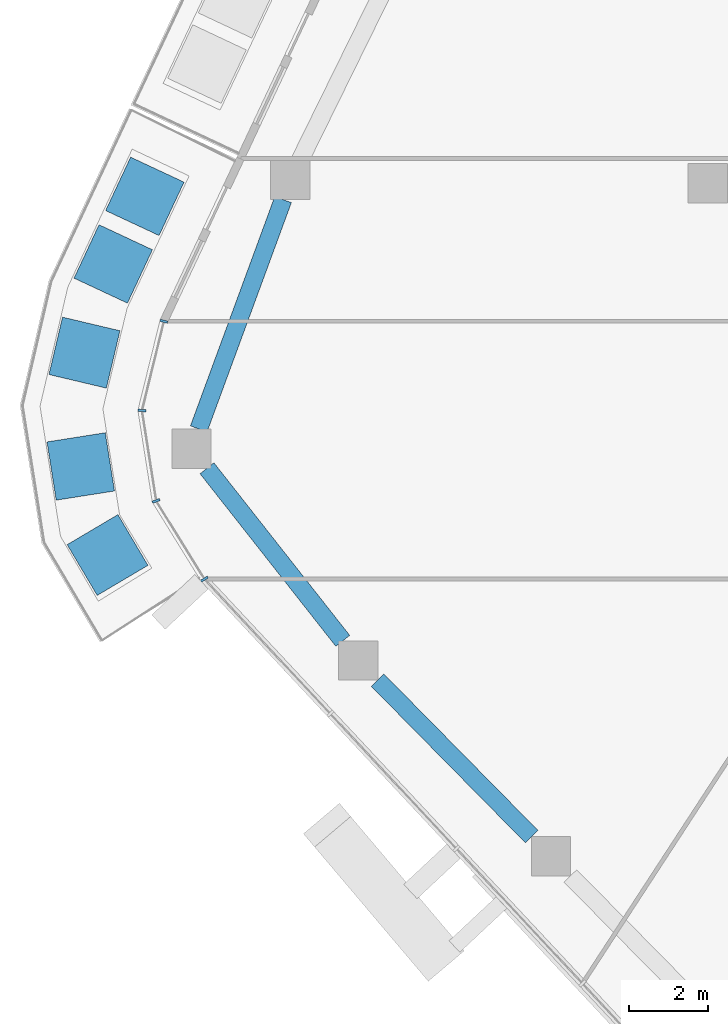
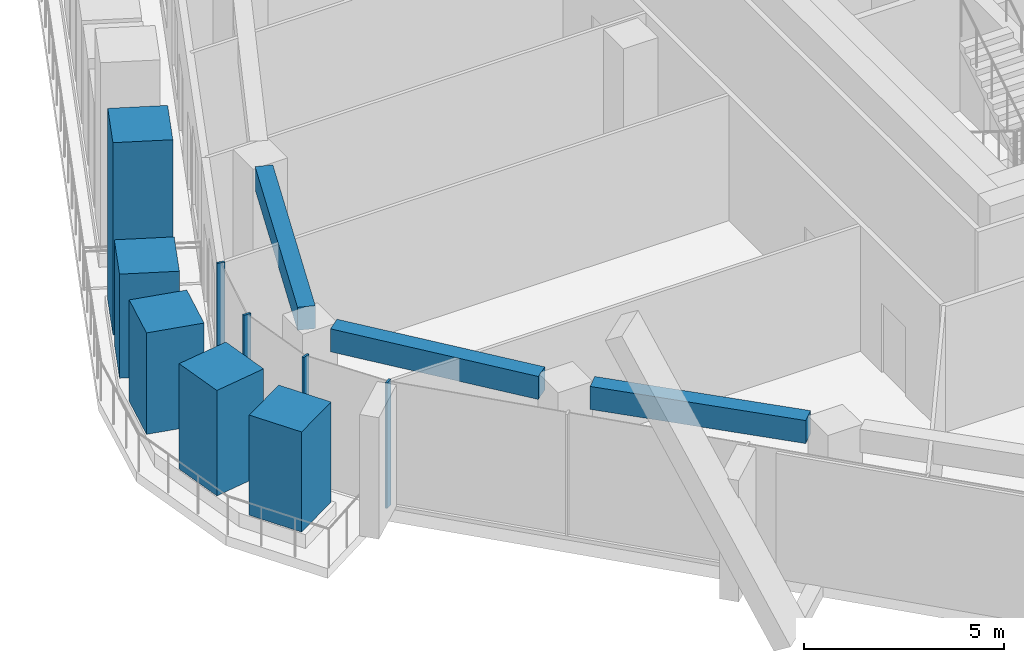
# One storey, part 3 of 23: 9 members, 3 beams, 1 element without a shape of its own.
"""IFC4 building model written with IfcOpenShell, lengths in metres."""

from ifc_helpers import new_model, si_unit, direction, frame, origin, origin_2d, place, context, subcontext, project, spatial, rectangle, extrude, material, layer, layer_set, material_profile, profile_set, type_object, element, aggregate, save


model = new_model("IFC4")

# Units and contexts
model_context = context("Model", 3, precision=1e-05, world=origin(), true_north=direction((0.0, 1.0)))
body_context = subcontext(model_context, "Body", "Model", "MODEL_VIEW")
ifc_project = project(units=[si_unit("LENGTHUNIT", "METRE"), si_unit("AREAUNIT", "SQUARE_METRE"), si_unit("VOLUMEUNIT", "CUBIC_METRE"), si_unit("PLANEANGLEUNIT", "RADIAN"), si_unit("MASSUNIT", "GRAM", prefix="KILO")], contexts=[model_context])

# Site, building, storey
site_placement = place(None, origin())
site = spatial("IfcSite", under=ifc_project, at=site_placement, CompositionType="ELEMENT")
building_placement = place(site_placement, origin())
building = spatial("IfcBuilding", under=site, at=building_placement, Name="Dongbaek Canopy Tower", CompositionType="ELEMENT")
storey_placement = place(building_placement, frame((0.0, 0.0, 340.39990234375)))
storey = spatial("IfcBuildingStorey", under=building, at=storey_placement, Name="L73", CompositionType="ELEMENT", Elevation=340.39990234375)

# Curtain wall, members
ifc_material_1 = material(Name="Aluminium 6063-T6 pale anodised", Category="aluminium")
ifc_layer = layer(ifc_material_1, 0.199951171875)
ifc_layer_set = layer_set([ifc_layer], Name="CW-1 unitised tower curtain wall")
curtain_wall_type = type_object("IfcCurtainWallType", Name="CW-1 unitised tower curtain wall", PredefinedType="NOTDEFINED", material=ifc_layer_set)
curtain_wall_placement = place(storey_placement, origin())
curtain_wall = element("IfcCurtainWall", 1, at=curtain_wall_placement, inside=storey, type_object=curtain_wall_type, Name="CW-1 curtain wall K3.1", PredefinedType="NOTDEFINED")
ifc_material_2 = material(Name="Aluminium 6063-T6 pale anodised", Category="aluminium")
ifc_material_profile_1 = material_profile(ifc_material_2, rectangle(XDim=0.199951171875, YDim=0.06005859375, at=origin_2d()), Name="CW-1 mullion 60 x 200")
ifc_profile_set_1 = profile_set([ifc_material_profile_1], Name="Aluminium 6063-T6 pale anodised")
member_type_1 = type_object("IfcMemberType", Name="CW-1 mullion 60 x 200", PredefinedType="MULLION", material=ifc_profile_set_1)
member_1_placement = place(storey_placement, frame((-31.8330078125, -3.507568359375, 0.0), z_axis=(0.0, 0.0, 1.0), x_axis=(-0.971110092335, 0.238631910198, 0.0)))
member_1 = element("IfcMember", 2, at=member_1_placement, type_object=member_type_1, Name="CW-1 mullion K3.1.1", PredefinedType="MULLION", context=body_context, shape_type="SweptSolid", body=[
    extrude(rectangle(XDim=0.199951171875, YDim=0.06005859375, at=origin_2d()), origin(), (0.0, 0.0, 1.0), 3.820068359375),
])
member_2_placement = place(storey_placement, frame((-32.390625, -5.77685546875, 0.0), z_axis=(0.0, 0.0, 1.0), x_axis=(-0.999101300895, 0.042386207062, 0.0)))
member_2 = element("IfcMember", 3, at=member_2_placement, type_object=member_type_1, Name="CW-1 mullion K3.1.2", PredefinedType="MULLION", context=body_context, shape_type="SweptSolid", body=[
    extrude(rectangle(XDim=0.199951171875, YDim=0.06005859375, at=origin_2d()), origin(), (0.0, 0.0, 1.0), 3.820068359375),
])
member_3_placement = place(storey_placement, frame((-32.02880859375, -8.075439453125, 0.0), z_axis=(0.0, 0.0, 1.0), x_axis=(-0.937744851742, -0.347324909891, 0.0)))
member_3 = element("IfcMember", 4, at=member_3_placement, type_object=member_type_1, Name="CW-1 mullion K3.1.3", PredefinedType="MULLION", context=body_context, shape_type="SweptSolid", body=[
    extrude(rectangle(XDim=0.199951171875, YDim=0.06005859375, at=origin_2d()), origin(), (0.0, 0.0, 1.0), 3.820068359375),
])
member_4_placement = place(storey_placement, frame((-30.800537109375, -10.063720703125, 0.0), z_axis=(0.0, 0.0, 1.0), x_axis=(-0.850808249929, -0.525476280961, 0.0)))
member_4 = element("IfcMember", 5, at=member_4_placement, type_object=member_type_1, Name="CW-1 mullion K3.1.4", PredefinedType="MULLION", context=body_context, shape_type="SweptSolid", body=[
    extrude(rectangle(XDim=0.199951171875, YDim=0.06005859375, at=origin_2d()), origin(), (0.0, 0.0, 1.0), 3.820068359375),
])
aggregate(curtain_wall, [member_1, member_2, member_3, member_4])

# Beams
ifc_material_3 = material(Name="Concrete C60", Category="concrete")
ifc_material_profile_2 = material_profile(ifc_material_3, rectangle(XDim=0.449951171875, YDim=0.699951171875, at=origin_2d()), Name="RC EDGE BEAM 450x700 C60")
ifc_profile_set_2 = profile_set([ifc_material_profile_2], Name="Concrete C60")
beam_type = type_object("IfcBeamType", Name="RC EDGE BEAM 450x700 C60", PredefinedType="BEAM", material=ifc_profile_set_2)
beam_1_placement = place(storey_placement, frame((-22.478515625, -16.612060546875, 3.47021484375), z_axis=(-0.701708081315, 0.712464573588, 0.0), x_axis=(-0.712464573588, -0.701708081315, 0.0)))
element("IfcBeam", 6, at=beam_1_placement, inside=storey, type_object=beam_type, Name="EDGEBEAM:L73:06", PredefinedType="BEAM", context=body_context, shape_type="SweptSolid", body=[
    extrude(rectangle(XDim=0.449951171875, YDim=0.699951171875, at=origin_2d()), origin(), (0.0, 0.0, 1.0), 5.58349609375),
])
beam_2_placement = place(storey_placement, frame((-27.282470703125, -11.634033203125, 3.47021484375), z_axis=(-0.618340786972, 0.78591009102, 0.0), x_axis=(-0.78591009102, -0.618340786972, 0.0)))
element("IfcBeam", 7, at=beam_2_placement, inside=storey, type_object=beam_type, Name="EDGEBEAM:L73:07", PredefinedType="BEAM", context=body_context, shape_type="SweptSolid", body=[
    extrude(rectangle(XDim=0.449951171875, YDim=0.699951171875, at=origin_2d()), origin(), (0.0, 0.0, 1.0), 5.58447265625),
])
beam_3_placement = place(storey_placement, frame((-30.945068359375, -6.2451171875, 3.47021484375), z_axis=(0.345138950659, 0.938551599401, 0.0), x_axis=(-0.938551599401, 0.345138950659, 0.0)))
element("IfcBeam", 8, at=beam_3_placement, inside=storey, type_object=beam_type, Name="EDGEBEAM:L73:08", PredefinedType="BEAM", context=body_context, shape_type="SweptSolid", body=[
    extrude(rectangle(XDim=0.449951171875, YDim=0.699951171875, at=origin_2d()), origin(), (0.0, 0.0, 1.0), 6.212890625),
])

# Members
ifc_material_4 = material(Name="Concrete C40/50 planter mass with planting", Category="concrete")
ifc_material_profile_3 = material_profile(ifc_material_4, rectangle(XDim=1.5, YDim=1.5, at=origin_2d()), Name="Terrace PLANTER shrub mass 1500 x 1500")
ifc_profile_set_3 = profile_set([ifc_material_profile_3], Name="Concrete C40/50 planter mass with planting")
member_type_2 = type_object("IfcMemberType", Name="Terrace PLANTER shrub mass 1500 x 1500", PredefinedType="USERDEFINED", material=ifc_profile_set_3)
member_5_placement = place(storey_placement, frame((-32.3154296875, -0.33154296875, 0.420166015625), z_axis=(0.0, 0.0, 1.0), x_axis=(-0.905889150893, 0.423514871397, 0.0)))
element("IfcMember", 9, at=member_5_placement, inside=storey, type_object=member_type_2, Name="Planter tree L73 7.1", ObjectType="PLANTER", PredefinedType="USERDEFINED", context=body_context, shape_type="SweptSolid", body=[
    extrude(rectangle(XDim=1.5, YDim=1.5, at=origin_2d()), origin(), (0.0, 0.0, 1.0), 5.849853515625),
])
member_6_placement = place(storey_placement, frame((-33.118896484375, -2.050537109375, 0.420166015625), z_axis=(0.0, 0.0, 1.0), x_axis=(-0.905889150893, 0.423514871397, 0.0)))
element("IfcMember", 10, at=member_6_placement, inside=storey, type_object=member_type_2, Name="Planter shrubs L73 7.2", ObjectType="PLANTER", PredefinedType="USERDEFINED", context=body_context, shape_type="SweptSolid", body=[
    extrude(rectangle(XDim=1.5, YDim=1.5, at=origin_2d()), origin(), (0.0, 0.0, 1.0), 3.169921875),
])
member_7_placement = place(storey_placement, frame((-33.850830078125, -4.305419921875, 0.420166015625), z_axis=(0.0, 0.0, 1.0), x_axis=(-0.973143922153, 0.230197538598, 0.0)))
element("IfcMember", 11, at=member_7_placement, inside=storey, type_object=member_type_2, Name="Planter shrubs L73 7.3", ObjectType="PLANTER", PredefinedType="USERDEFINED", context=body_context, shape_type="SweptSolid", body=[
    extrude(rectangle(XDim=1.5, YDim=1.5, at=origin_2d()), origin(), (0.0, 0.0, 1.0), 3.08984375),
])
member_8_placement = place(storey_placement, frame((-33.945068359375, -7.199462890625, 0.420166015625), z_axis=(0.0, 0.0, 1.0), x_axis=(-0.987831940878, -0.155525099522, 0.0)))
element("IfcMember", 12, at=member_8_placement, inside=storey, type_object=member_type_2, Name="Planter shrubs L73 7.4", ObjectType="PLANTER", PredefinedType="USERDEFINED", context=body_context, shape_type="SweptSolid", body=[
    extrude(rectangle(XDim=1.5, YDim=1.5, at=origin_2d()), origin(), (0.0, 0.0, 1.0), 3.2099609375),
])
member_9_placement = place(storey_placement, frame((-33.263427734375, -9.451171875, 0.420166015625), z_axis=(0.0, 0.0, 1.0), x_axis=(-0.860621503226, -0.509245155288, 0.0)))
element("IfcMember", 13, at=member_9_placement, inside=storey, type_object=member_type_2, Name="Planter shrubs L73 7.5", ObjectType="PLANTER", PredefinedType="USERDEFINED", context=body_context, shape_type="SweptSolid", body=[
    extrude(rectangle(XDim=1.5, YDim=1.5, at=origin_2d()), origin(), (0.0, 0.0, 1.0), 3.050048828125),
])

save(model, "model.ifc")
